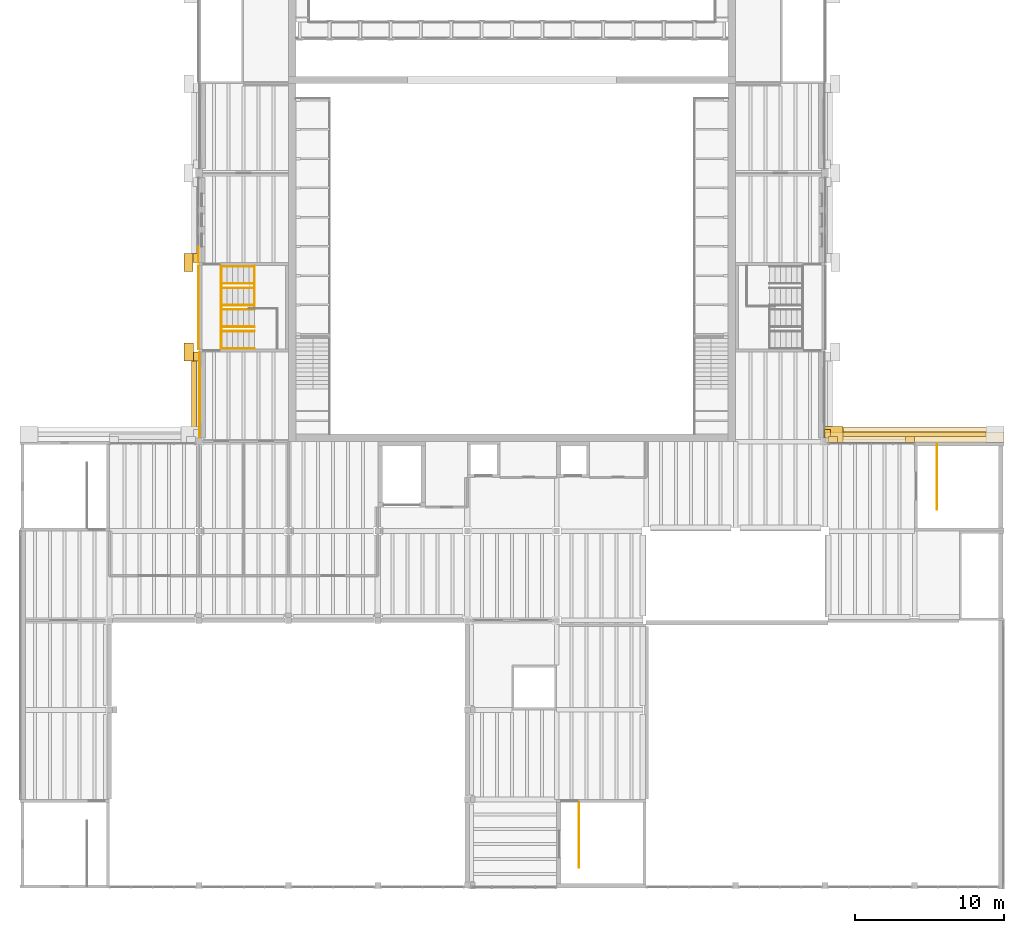
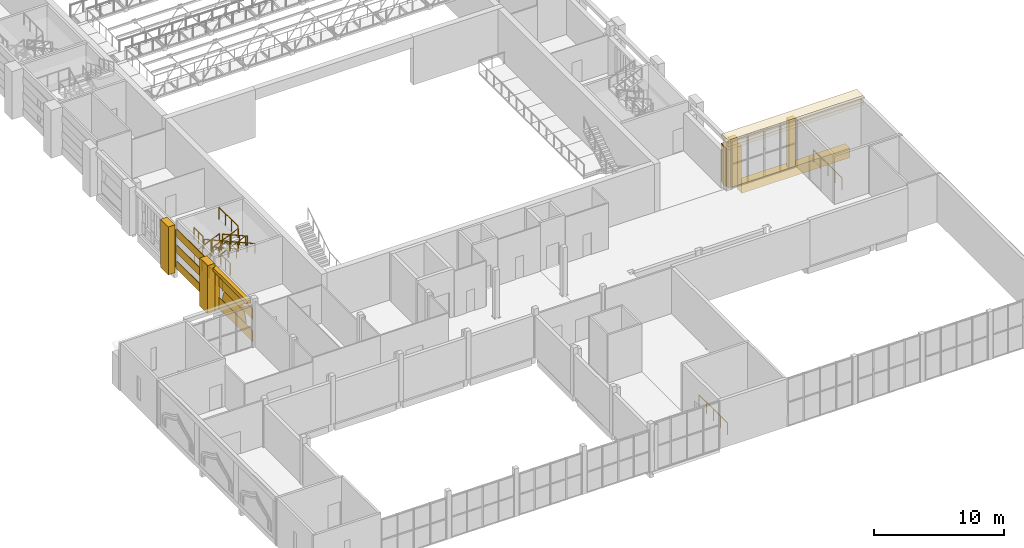
# One storey, part 55 of 70: 21 coverings, 14 railings.
"""IFC4 building model written with IfcOpenShell, lengths in metres."""

from ifc_helpers import new_model, si_unit, direction, frame, origin, origin_2d, place, context, subcontext, project, spatial, polyline, rectangle, circle, outline, extrude, material, layer, layer_set, type_object, element, save


model = new_model("IFC4")

# Units and contexts
model_context = context("Model", 3, precision=1e-05, world=origin(), true_north=direction((0.0, 1.0)))
body_context = subcontext(model_context, "Body", "Model", "MODEL_VIEW")
ifc_project = project(units=[si_unit("LENGTHUNIT", "METRE"), si_unit("AREAUNIT", "SQUARE_METRE"), si_unit("VOLUMEUNIT", "CUBIC_METRE"), si_unit("PLANEANGLEUNIT", "RADIAN"), si_unit("MASSUNIT", "GRAM", prefix="KILO")], contexts=[model_context])

# Site, building, storey
site_placement = place(None, origin())
site = spatial("IfcSite", under=ifc_project, at=site_placement, CompositionType="ELEMENT")
building_placement = place(site_placement, origin())
building = spatial("IfcBuilding", under=site, at=building_placement, Name="Saffron Lane Theatres", CompositionType="ELEMENT")
storey_placement = place(building_placement, frame((0.0, 0.0, 12.0)))
storey = spatial("IfcBuildingStorey", under=building, at=storey_placement, Name="L02", CompositionType="ELEMENT", Elevation=12.0)

# Coverings
ifc_material_1 = material(Name="Masonry pale clay brick", Category="masonry")
ifc_layer_1 = layer(ifc_material_1, 0.050048828125)
ifc_layer_set_1 = layer_set([ifc_layer_1], Name="Masonry pale clay brick")
covering_type_1 = type_object("IfcCoveringType", Name="EX-ARCH PANEL BRICK 50", PredefinedType="CLADDING", material=ifc_layer_set_1)
covering_1_placement = place(storey_placement, frame((12.10009765625, 31.31201171875, 1.199951171875), z_axis=(1.0, 0.0, 0.0), x_axis=(0.0, 0.0, -1.0)))
element("IfcCovering", 1, at=covering_1_placement, inside=storey, type_object=covering_type_1, Name="Blind arch panel 11", PredefinedType="CLADDING", context=body_context, shape_type="SweptSolid", body=[
    extrude(outline(polyline([(0.0, 0.0), (0.89990234375, 0.0), (0.89990234375, 3.60107421875), (0.0, 3.60107421875), (-0.28515625, 3.5791015625), (-0.56201171875, 3.512939453125), (-0.8271484375, 3.406005859375), (-1.071044921875, 3.259033203125), (-1.291015625, 3.075927734375), (-1.47900390625, 2.862060546875), (-1.633056640625, 2.62109375), (-1.7470703125, 2.360107421875), (-1.820068359375, 2.083984375), (-1.85009765625, 1.800048828125), (-1.820068359375, 1.51708984375), (-1.7470703125, 1.240966796875), (-1.633056640625, 0.97998046875), (-1.47900390625, 0.739013671875), (-1.291015625, 0.52490234375), (-1.071044921875, 0.342041015625), (-0.8271484375, 0.195068359375), (-0.56201171875, 0.087890625), (-0.28515625, 0.02197265625), (0.0, 0.0)])), origin(), (0.0, 0.0, -1.0), 0.050048828125),
])
ifc_material_2 = material(Name="Masonry sandstone", Category="masonry")
ifc_layer_2 = layer(ifc_material_2, 0.0400390625)
ifc_layer_set_2 = layer_set([ifc_layer_2], Name="Masonry sandstone")
covering_type_2 = type_object("IfcCoveringType", Name="EX-BANDING COURSE SANDSTONE 40", PredefinedType="CLADDING", material=ifc_layer_set_2)
for number, where, z_axis, x_axis, name in (
    (2, (11.97998046875, 39.0, 0.0), (0.0, 0.0, 1.0), (0.0, 1.0, 0.0), "Banding course L02"),
    (3, (11.97998046875, 39.0, 1.5), (0.0, 0.0, 1.0), (0.0, 1.0, 0.0), "Banding course L02"),
    (4, (11.97998046875, 39.0, 3.0), (0.0, 0.0, 1.0), (0.0, 1.0, 0.0), "Banding course L02"),
):
    element("IfcCovering", number, at=place(storey_placement, frame(where, z_axis=z_axis, x_axis=x_axis)), inside=storey, type_object=covering_type_2, Name=name, PredefinedType="CLADDING", context=body_context, shape_type="SweptSolid", body=[
        extrude(rectangle(XDim=5.60009765625, YDim=0.0400390625, at=origin_2d()), origin(), (0.0, 0.0, 1.0), 0.75),
    ])
ifc_material_3 = material(Name="Masonry sandstone", Category="masonry")
ifc_layer_3 = layer(ifc_material_3, 0.64990234375)
ifc_layer_set_3 = layer_set([ifc_layer_3], Name="Masonry sandstone")
covering_type_3 = type_object("IfcCoveringType", Name="EX-BRESSUMMER BAND SANDSTONE 650", PredefinedType="CLADDING", material=ifc_layer_set_3)
covering_2_placement = place(storey_placement, frame((60.0, 30.300048828125, -0.89990234375), z_axis=(0.0, 0.0, 1.0), x_axis=(1.0, 0.0, 0.0)))
element("IfcCovering", 5, at=covering_2_placement, inside=storey, type_object=covering_type_3, Name="Rear bressummer band L02", PredefinedType="CLADDING", context=body_context, shape_type="SweptSolid", body=[
    extrude(rectangle(XDim=9.60009765625, YDim=0.699951171875, at=origin_2d()), origin(), (0.0, 0.0, 1.0), 0.89990234375),
])
ifc_material_4 = material(Name="Face brick cladding, pale buff", Category="masonry")
ifc_layer_4 = layer(ifc_material_4, 0.0400390625)
ifc_layer_set_4 = layer_set([ifc_layer_4], Name="Face brick cladding, pale buff")
covering_type_4 = type_object("IfcCoveringType", Name="EX-FACE BRICK CLADDING PALE BUFF 40", PredefinedType="CLADDING", material=ifc_layer_set_4)
for number, where, z_axis, x_axis, name in (
    (6, (12.030029296875, 33.113037109375, 0.14990234375), (0.0, 0.0, 1.0), (0.0, 1.0, 0.0), "Cladding course L02"),
    (7, (12.030029296875, 33.113037109375, 2.25), (0.0, 0.0, 1.0), (0.0, 1.0, 0.0), "Cladding course L02"),
):
    element("IfcCovering", number, at=place(storey_placement, frame(where, z_axis=z_axis, x_axis=x_axis)), inside=storey, type_object=covering_type_4, Name=name, PredefinedType="CLADDING", context=body_context, shape_type="SweptSolid", body=[
        extrude(rectangle(XDim=5.77490234375, YDim=0.0400390625, at=origin_2d()), origin(), (0.0, 0.0, 1.0), 1.050048828125),
    ])
for number, where, z_axis, x_axis, name in (
    (8, (11.97998046875, 42.527099609375, 0.14990234375), (0.0, 0.0, 1.0), (0.0, 1.0, 0.0), "Cladding course L02"),
    (9, (11.97998046875, 42.527099609375, 2.25), (0.0, 0.0, 1.0), (0.0, 1.0, 0.0), "Cladding course L02"),
):
    element("IfcCovering", number, at=place(storey_placement, frame(where, z_axis=z_axis, x_axis=x_axis)), inside=storey, type_object=covering_type_4, Name=name, PredefinedType="CLADDING", context=body_context, shape_type="SweptSolid", body=[
        extrude(rectangle(XDim=1.054931640625, YDim=0.0400390625, at=origin_2d()), origin(), (0.0, 0.0, 1.0), 1.050048828125),
    ])
ifc_material_5 = material(Name="Masonry sandstone", Category="masonry")
ifc_layer_5 = layer(ifc_material_5, 1.199951171875)
ifc_layer_set_5 = layer_set([ifc_layer_5], Name="Masonry sandstone")
covering_type_5 = type_object("IfcCoveringType", Name="EX-FLANK BUTTRESS PIER SANDSTONE 1200", PredefinedType="CLADDING", material=ifc_layer_set_5)
covering_3_placement = place(storey_placement, frame((11.324951171875, 36.0, 0.0), z_axis=(0.0, 0.0, 1.0), x_axis=(0.0, 1.0, 0.0)))
element("IfcCovering", 10, at=covering_3_placement, inside=storey, type_object=covering_type_5, Name="Flank buttress west L02", PredefinedType="CLADDING", context=body_context, shape_type="SweptSolid", body=[
    extrude(rectangle(XDim=1.199951171875, YDim=0.64990234375, at=origin_2d()), origin(), (0.0, 0.0, 1.0), 4.5),
])
covering_4_placement = place(storey_placement, frame((11.300048828125, 42.0, 0.0), z_axis=(0.0, 0.0, 1.0), x_axis=(0.0, 1.0, 0.0)))
element("IfcCovering", 11, at=covering_4_placement, inside=storey, type_object=covering_type_5, Name="Flank buttress west L02", PredefinedType="CLADDING", context=body_context, shape_type="SweptSolid", body=[
    extrude(rectangle(XDim=1.199951171875, YDim=0.60009765625, at=origin_2d()), origin(), (0.0, 0.0, 1.0), 4.5),
])
ifc_material_6 = material(Name="Masonry sandstone", Category="masonry")
ifc_layer_6 = layer(ifc_material_6, 0.39990234375)
ifc_layer_set_6 = layer_set([ifc_layer_6], Name="Masonry sandstone")
covering_type_6 = type_object("IfcCoveringType", Name="EX-PILASTER PIER SANDSTONE 400", PredefinedType="CLADDING", material=ifc_layer_set_6)
for number, where, z_axis, x_axis, name in (
    (12, (11.85009765625, 35.699951171875, 0.0), (0.0, 0.0, 1.0), (0.0, 1.0, 0.0), "Pilaster pier L02"),
    (13, (11.800048828125, 42.300048828125, 0.0), (0.0, 0.0, 1.0), (0.0, 1.0, 0.0), "Pilaster pier L02"),
    (14, (54.14990234375, 30.52490234375, 0.0), (0.0, 0.0, 1.0), (0.0, -1.0, 0.0), "Pilaster pier L02"),
):
    element("IfcCovering", number, at=place(storey_placement, frame(where, z_axis=z_axis, x_axis=x_axis)), inside=storey, type_object=covering_type_6, Name=name, PredefinedType="CLADDING", context=body_context, shape_type="SweptSolid", body=[
        extrude(rectangle(XDim=0.60009765625, YDim=0.39990234375, at=origin_2d()), origin(), (0.0, 0.0, 1.0), 3.550048828125),
    ])
for number, where, z_axis, x_axis, name in (
    (15, (54.52490234375, 30.14990234375, 0.0), (0.0, 0.0, 1.0), (1.0, 0.0, 0.0), "Pilaster pier L02"),
    (16, (59.699951171875, 30.14990234375, 0.0), (0.0, 0.0, 1.0), (1.0, 0.0, 0.0), "Pilaster pier L02"),
):
    element("IfcCovering", number, at=place(storey_placement, frame(where, z_axis=z_axis, x_axis=x_axis)), inside=storey, type_object=covering_type_6, Name=name, PredefinedType="CLADDING", context=body_context, shape_type="SweptSolid", body=[
        extrude(rectangle(XDim=0.60009765625, YDim=0.39990234375, at=origin_2d()), origin(), (0.0, 0.0, 1.0), 4.5),
    ])
ifc_material_7 = material(Name="Masonry sandstone", Category="masonry")
ifc_layer_7 = layer(ifc_material_7, 1.199951171875)
ifc_layer_set_7 = layer_set([ifc_layer_7], Name="Masonry sandstone")
covering_type_7 = type_object("IfcCoveringType", Name="EX-REAR BUTTRESS PIER SANDSTONE 1200", PredefinedType="CLADDING", material=ifc_layer_set_7)
covering_5_placement = place(storey_placement, frame((54.60009765625, 30.47509765625, 0.0), z_axis=(0.0, 0.0, 1.0), x_axis=(1.0, 0.0, 0.0)))
element("IfcCovering", 17, at=covering_5_placement, inside=storey, type_object=covering_type_7, Name="Rear buttress pier L02", PredefinedType="CLADDING", context=body_context, shape_type="SweptSolid", body=[
    extrude(rectangle(XDim=1.199951171875, YDim=1.050048828125, at=origin_2d()), origin(), (0.0, 0.0, 1.0), 3.60009765625),
])
ifc_material_8 = material(Name="Masonry sandstone", Category="masonry")
ifc_layer_8 = layer(ifc_material_8, 0.949951171875)
ifc_layer_set_8 = layer_set([ifc_layer_8], Name="Masonry sandstone")
covering_type_8 = type_object("IfcCoveringType", Name="EX-REAR EAVES COURSE SANDSTONE 950", PredefinedType="CLADDING", material=ifc_layer_set_8)
covering_6_placement = place(storey_placement, frame((60.0, 30.14990234375, 3.60009765625), z_axis=(0.0, 0.0, 1.0), x_axis=(1.0, 0.0, 0.0)))
element("IfcCovering", 18, at=covering_6_placement, inside=storey, type_object=covering_type_8, Name="Rear eaves course L02", PredefinedType="CLADDING", context=body_context, shape_type="SweptSolid", body=[
    extrude(rectangle(XDim=12.0, YDim=0.39990234375, at=origin_2d()), origin(), (0.0, 0.0, 1.0), 0.300048828125),
])
covering_7_placement = place(storey_placement, frame((60.0, 30.300048828125, 3.89990234375), z_axis=(0.0, 0.0, 1.0), x_axis=(1.0, 0.0, 0.0)))
element("IfcCovering", 19, at=covering_7_placement, inside=storey, type_object=covering_type_8, Name="Rear eaves course L02", PredefinedType="CLADDING", context=body_context, shape_type="SweptSolid", body=[
    extrude(rectangle(XDim=12.0, YDim=0.699951171875, at=origin_2d()), origin(), (0.0, 0.0, 1.0), 0.300048828125),
])
covering_8_placement = place(storey_placement, frame((60.0, 30.449951171875, 4.2001953125), z_axis=(0.0, 0.0, 1.0), x_axis=(1.0, 0.0, 0.0)))
element("IfcCovering", 20, at=covering_8_placement, inside=storey, type_object=covering_type_8, Name="Rear eaves course L02", PredefinedType="CLADDING", context=body_context, shape_type="SweptSolid", body=[
    extrude(rectangle(XDim=12.0, YDim=1.0, at=origin_2d()), origin(), (0.0, 0.0, 1.0), 0.300048828125),
])
ifc_material_9 = material(Name="Masonry sandstone", Category="masonry")
ifc_layer_9 = layer(ifc_material_9, 0.300048828125)
ifc_layer_set_9 = layer_set([ifc_layer_9], Name="Masonry sandstone")
covering_type_9 = type_object("IfcCoveringType", Name="EX-STRING COURSE SANDSTONE 350", PredefinedType="CLADDING", material=ifc_layer_set_9)
covering_9_placement = place(storey_placement, frame((11.675048828125, 33.112060546875, 3.800048828125), z_axis=(0.0, 0.0, 1.0), x_axis=(0.0, 1.0, 0.0)))
element("IfcCovering", 21, at=covering_9_placement, inside=storey, type_object=covering_type_9, Name="String course L02", PredefinedType="CLADDING", context=body_context, shape_type="SweptSolid", body=[
    extrude(rectangle(XDim=5.77490234375, YDim=0.35009765625, at=origin_2d()), origin(), (0.0, 0.0, 1.0), 0.35009765625),
])

# Railings
ifc_material_10 = material(Name="Steel Grade 350", Category="steel")
railing_type_1 = type_object("IfcRailingType", Name="VC-GUARD 1100", PredefinedType="GUARDRAIL", material=ifc_material_10)
railing_1_placement = place(storey_placement, frame((15.719970703125, 41.77001953125, 3.375)))
element("IfcRailing", 22, at=railing_1_placement, inside=storey, type_object=railing_type_1, Name="Stage West Stair landing guard 3N2s", PredefinedType="GUARDRAIL", context=body_context, shape_type="SweptSolid", body=[
    extrude(circle(Radius=0.02392578125, at=origin_2d()), frame((0.0, 0.0, 1.076171875), z_axis=(0.0, -1.0, 0.0), x_axis=(1.0, 0.0, 0.0)), (0.0, 0.0, 1.0), 2.8701171875),
    extrude(circle(Radius=0.02099609375, at=origin_2d()), origin(), (0.0, 0.0, 1.0), 1.052001953125),
    extrude(circle(Radius=0.02099609375, at=origin_2d()), frame((0.0, -0.956787109375, 0.0)), (0.0, 0.0, 1.0), 1.052001953125),
    extrude(circle(Radius=0.02099609375, at=origin_2d()), frame((0.0, -1.913330078125, 0.0)), (0.0, 0.0, 1.0), 1.052001953125),
    extrude(circle(Radius=0.02099609375, at=origin_2d()), frame((0.0, -2.8701171875, 0.0)), (0.0, 0.0, 1.0), 1.052001953125),
])
railing_2_placement = place(storey_placement, frame((13.5, 41.77001953125, 2.25)))
element("IfcRailing", 23, at=railing_2_placement, inside=storey, type_object=railing_type_1, Name="Stage West Stair landing guard 3S2w", PredefinedType="GUARDRAIL", context=body_context, shape_type="SweptSolid", body=[
    extrude(circle(Radius=0.02392578125, at=origin_2d()), frame((0.0, 0.0, 1.076171875), z_axis=(0.0, -1.0, 0.0), x_axis=(1.0, 0.0, 0.0)), (0.0, 0.0, 1.0), 1.320068359375),
    extrude(circle(Radius=0.02099609375, at=origin_2d()), origin(), (0.0, 0.0, 1.0), 1.052001953125),
    extrude(circle(Radius=0.02099609375, at=origin_2d()), frame((0.0, -0.66015625, 0.0)), (0.0, 0.0, 1.0), 1.052001953125),
    extrude(circle(Radius=0.02099609375, at=origin_2d()), frame((0.0, -1.320068359375, 0.0)), (0.0, 0.0, 1.0), 1.052001953125),
])
railing_3_placement = place(storey_placement, frame((13.5, 37.64990234375, 2.25)))
element("IfcRailing", 24, at=railing_3_placement, inside=storey, type_object=railing_type_1, Name="Stage West Stair landing guard 3S2e", PredefinedType="GUARDRAIL", context=body_context, shape_type="SweptSolid", body=[
    extrude(circle(Radius=0.02392578125, at=origin_2d()), frame((0.0, 0.0, 1.076171875), z_axis=(0.0, -1.0, 0.0), x_axis=(1.0, 0.0, 0.0)), (0.0, 0.0, 1.0), 1.419921875),
    extrude(circle(Radius=0.02099609375, at=origin_2d()), origin(), (0.0, 0.0, 1.0), 1.052001953125),
    extrude(circle(Radius=0.02099609375, at=origin_2d()), frame((0.0, -0.7099609375, 0.0)), (0.0, 0.0, 1.0), 1.052001953125),
    extrude(circle(Radius=0.02099609375, at=origin_2d()), frame((0.0, -1.419921875, 0.0)), (0.0, 0.0, 1.0), 1.052001953125),
])
railing_4_placement = place(storey_placement, frame((13.5, 40.550048828125, 0.0)))
element("IfcRailing", 25, at=railing_4_placement, inside=storey, type_object=railing_type_1, Name="Stage West Stair guard L02", PredefinedType="GUARDRAIL", context=body_context, shape_type="SweptSolid", body=[
    extrude(circle(Radius=0.02392578125, at=origin_2d()), frame((0.0, 0.0, 1.076171875), z_axis=(0.0, -1.0, 0.0), x_axis=(1.0, 0.0, 0.0)), (0.0, 0.0, 1.0), 3.10009765625),
    extrude(circle(Radius=0.02099609375, at=origin_2d()), origin(), (0.0, 0.0, 1.0), 1.052001953125),
    extrude(circle(Radius=0.02099609375, at=origin_2d()), frame((0.0, -1.033447265625, 0.0)), (0.0, 0.0, 1.0), 1.052001953125),
    extrude(circle(Radius=0.02099609375, at=origin_2d()), frame((0.0, -2.066650390625, 0.0)), (0.0, 0.0, 1.0), 1.052001953125),
    extrude(circle(Radius=0.02099609375, at=origin_2d()), frame((0.0, -3.10009765625, 0.0)), (0.0, 0.0, 1.0), 1.052001953125),
])
for number, where, name in (
    (26, (37.5, 5.800048828125, 0.0), "Studio South Stair guard L02"),
    (27, (61.5, 29.800048828125, 0.0), "Studio North Stair guard L02"),
):
    element("IfcRailing", number, at=place(storey_placement, frame(where)), inside=storey, type_object=railing_type_1, Name=name, PredefinedType="GUARDRAIL", context=body_context, shape_type="SweptSolid", body=[
        extrude(circle(Radius=0.02392578125, at=origin_2d()), frame((0.0, 0.0, 1.076171875), z_axis=(0.0, -1.0, 0.0), x_axis=(1.0, 0.0, 0.0)), (0.0, 0.0, 1.0), 4.35009765625),
        extrude(circle(Radius=0.02099609375, at=origin_2d()), origin(), (0.0, 0.0, 1.0), 1.052001953125),
        extrude(circle(Radius=0.02099609375, at=origin_2d()), frame((0.0, -1.08740234375, 0.0)), (0.0, 0.0, 1.0), 1.052001953125),
        extrude(circle(Radius=0.02099609375, at=origin_2d()), frame((0.0, -2.175048828125, 0.0)), (0.0, 0.0, 1.0), 1.052001953125),
        extrude(circle(Radius=0.02099609375, at=origin_2d()), frame((0.0, -3.2626953125, 0.0)), (0.0, 0.0, 1.0), 1.052001953125),
        extrude(circle(Radius=0.02099609375, at=origin_2d()), frame((0.0, -4.35009765625, 0.0)), (0.0, 0.0, 1.0), 1.052001953125),
    ])
ifc_material_11 = material(Name="Steel Grade 350", Category="steel")
railing_type_2 = type_object("IfcRailingType", Name="VC-HANDRAIL 900", PredefinedType="HANDRAIL", material=ifc_material_11)
for number, where, name in (
    (28, (13.5, 41.75, 0.16064453125), "Stage West Stair handrail 3.1a"),
    (29, (13.5, 40.60009765625, 0.16064453125), "Stage West Stair handrail 3.1b"),
):
    element("IfcRailing", number, at=place(storey_placement, frame(where)), inside=storey, type_object=railing_type_2, Name=name, PredefinedType="HANDRAIL", context=body_context, shape_type="SweptSolid", body=[
        extrude(circle(Radius=0.02392578125, at=origin_2d()), frame((0.0, 0.0, 0.8759765625), z_axis=(0.917161435653, 0.0, 0.398515872898), x_axis=(0.0, 1.0, 0.0)), (0.0, 0.0, 1.0), 0.806884765625),
        extrude(circle(Radius=0.02392578125, at=origin_2d()), frame((0.739990234375, 0.0, 1.197265625), z_axis=(0.917272012673, 0.0, 0.398261289567), x_axis=(0.0, 1.0, 0.0)), (0.0, 0.0, 1.0), 0.806640625),
        extrude(circle(Radius=0.02392578125, at=origin_2d()), frame((1.47998046875, 0.0, 1.5185546875), z_axis=(0.917161435653, 0.0, 0.398515872898), x_axis=(0.0, 1.0, 0.0)), (0.0, 0.0, 1.0), 0.806884765625),
        extrude(circle(Radius=0.02099609375, at=origin_2d()), origin(), (0.0, 0.0, 1.0), 0.851806640625),
        extrude(circle(Radius=0.02099609375, at=origin_2d()), frame((0.739990234375, 0.0, 0.321533203125)), (0.0, 0.0, 1.0), 0.851806640625),
        extrude(circle(Radius=0.02099609375, at=origin_2d()), frame((1.47998046875, 0.0, 0.642822265625)), (0.0, 0.0, 1.0), 0.851806640625),
        extrude(circle(Radius=0.02099609375, at=origin_2d()), frame((2.219970703125, 0.0, 0.96435546875)), (0.0, 0.0, 1.0), 0.851806640625),
    ])
for number, where, name in (
    (30, (15.719970703125, 40.300048828125, 1.28564453125), "Stage West Stair handrail 3.2a"),
    (31, (15.719970703125, 39.14990234375, 1.28564453125), "Stage West Stair handrail 3.2b"),
):
    element("IfcRailing", number, at=place(storey_placement, frame(where)), inside=storey, type_object=railing_type_2, Name=name, PredefinedType="HANDRAIL", context=body_context, shape_type="SweptSolid", body=[
        extrude(circle(Radius=0.02392578125, at=origin_2d()), frame((0.0, 0.0, 0.8759765625), z_axis=(-0.917161435653, 0.0, 0.398515872898), x_axis=(0.0, -1.0, 0.0)), (0.0, 0.0, 1.0), 0.806884765625),
        extrude(circle(Radius=0.02392578125, at=origin_2d()), frame((-0.739990234375, 0.0, 1.197265625), z_axis=(-0.917272012673, 0.0, 0.398261289567), x_axis=(0.0, -1.0, 0.0)), (0.0, 0.0, 1.0), 0.806640625),
        extrude(circle(Radius=0.02392578125, at=origin_2d()), frame((-1.47998046875, 0.0, 1.5185546875), z_axis=(-0.917161435653, 0.0, 0.398515872898), x_axis=(0.0, -1.0, 0.0)), (0.0, 0.0, 1.0), 0.806884765625),
        extrude(circle(Radius=0.02099609375, at=origin_2d()), origin(), (0.0, 0.0, 1.0), 0.851806640625),
        extrude(circle(Radius=0.02099609375, at=origin_2d()), frame((-0.739990234375, 0.0, 0.321533203125)), (0.0, 0.0, 1.0), 0.851806640625),
        extrude(circle(Radius=0.02099609375, at=origin_2d()), frame((-1.47998046875, 0.0, 0.642822265625)), (0.0, 0.0, 1.0), 0.851806640625),
        extrude(circle(Radius=0.02099609375, at=origin_2d()), frame((-2.219970703125, 0.0, 0.96435546875)), (0.0, 0.0, 1.0), 0.851806640625),
    ])
for number, where, name in (
    (32, (13.5, 38.85009765625, 2.41064453125), "Stage West Stair handrail 3.3a"),
    (33, (13.5, 37.699951171875, 2.41064453125), "Stage West Stair handrail 3.3b"),
):
    element("IfcRailing", number, at=place(storey_placement, frame(where)), inside=storey, type_object=railing_type_2, Name=name, PredefinedType="HANDRAIL", context=body_context, shape_type="SweptSolid", body=[
        extrude(circle(Radius=0.02392578125, at=origin_2d()), frame((0.0, 0.0, 0.8759765625), z_axis=(0.917161435653, 0.0, 0.398515872898), x_axis=(0.0, 1.0, 0.0)), (0.0, 0.0, 1.0), 0.806884765625),
        extrude(circle(Radius=0.02392578125, at=origin_2d()), frame((0.739990234375, 0.0, 1.197265625), z_axis=(0.917272012673, 0.0, 0.398261289567), x_axis=(0.0, 1.0, 0.0)), (0.0, 0.0, 1.0), 0.806640625),
        extrude(circle(Radius=0.02392578125, at=origin_2d()), frame((1.47998046875, 0.0, 1.5185546875), z_axis=(0.917161435653, 0.0, 0.398515872898), x_axis=(0.0, 1.0, 0.0)), (0.0, 0.0, 1.0), 0.806884765625),
        extrude(circle(Radius=0.02099609375, at=origin_2d()), origin(), (0.0, 0.0, 1.0), 0.851806640625),
        extrude(circle(Radius=0.02099609375, at=origin_2d()), frame((0.739990234375, 0.0, 0.321533203125)), (0.0, 0.0, 1.0), 0.851806640625),
        extrude(circle(Radius=0.02099609375, at=origin_2d()), frame((1.47998046875, 0.0, 0.642822265625)), (0.0, 0.0, 1.0), 0.851806640625),
        extrude(circle(Radius=0.02099609375, at=origin_2d()), frame((2.219970703125, 0.0, 0.96435546875)), (0.0, 0.0, 1.0), 0.851806640625),
    ])
for number, where, name in (
    (34, (15.719970703125, 37.39990234375, 3.53564453125), "Stage West Stair handrail 3.4a"),
    (35, (15.719970703125, 36.25, 3.53564453125), "Stage West Stair handrail 3.4b"),
):
    element("IfcRailing", number, at=place(storey_placement, frame(where)), inside=storey, type_object=railing_type_2, Name=name, PredefinedType="HANDRAIL", context=body_context, shape_type="SweptSolid", body=[
        extrude(circle(Radius=0.02392578125, at=origin_2d()), frame((0.0, 0.0, 0.8759765625), z_axis=(-0.917161435653, 0.0, 0.398515872898), x_axis=(0.0, -1.0, 0.0)), (0.0, 0.0, 1.0), 0.806884765625),
        extrude(circle(Radius=0.02392578125, at=origin_2d()), frame((-0.739990234375, 0.0, 1.197265625), z_axis=(-0.917272012673, 0.0, 0.398261289567), x_axis=(0.0, -1.0, 0.0)), (0.0, 0.0, 1.0), 0.806640625),
        extrude(circle(Radius=0.02392578125, at=origin_2d()), frame((-1.47998046875, 0.0, 1.5185546875), z_axis=(-0.917161435653, 0.0, 0.398515872898), x_axis=(0.0, -1.0, 0.0)), (0.0, 0.0, 1.0), 0.806884765625),
        extrude(circle(Radius=0.02099609375, at=origin_2d()), origin(), (0.0, 0.0, 1.0), 0.851806640625),
        extrude(circle(Radius=0.02099609375, at=origin_2d()), frame((-0.739990234375, 0.0, 0.321533203125)), (0.0, 0.0, 1.0), 0.851806640625),
        extrude(circle(Radius=0.02099609375, at=origin_2d()), frame((-1.47998046875, 0.0, 0.642822265625)), (0.0, 0.0, 1.0), 0.851806640625),
        extrude(circle(Radius=0.02099609375, at=origin_2d()), frame((-2.219970703125, 0.0, 0.96435546875)), (0.0, 0.0, 1.0), 0.851806640625),
    ])

save(model, "model.ifc")
